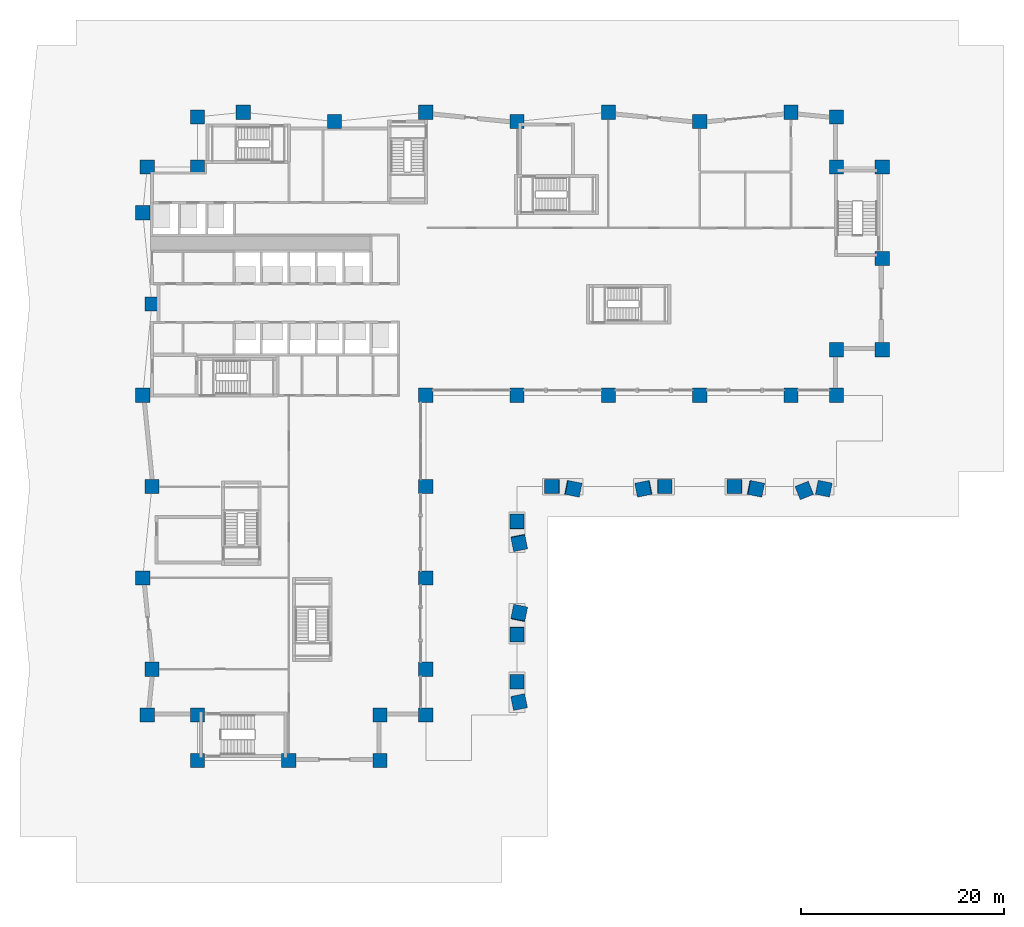
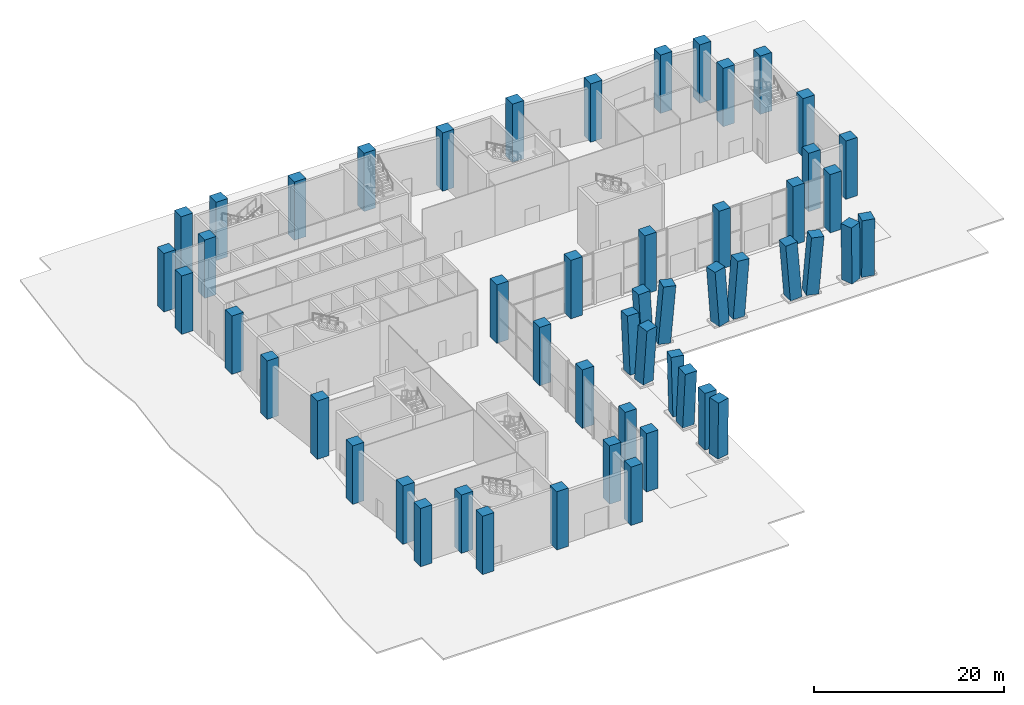
# One storey, part 1 of 16: 52 columns.
"""IFC4 building model written with IfcOpenShell, lengths in metres."""

from ifc_helpers import new_model, si_unit, direction, frame, origin, origin_2d, place, context, subcontext, project, spatial, rectangle, extrude, material, material_profile, profile_set, type_object, element, save


model = new_model("IFC4")

# Units and contexts
model_context = context("Model", 3, precision=1e-05, world=origin(), true_north=direction((0.0, 1.0)))
body_context = subcontext(model_context, "Body", "Model", "MODEL_VIEW")
ifc_project = project(units=[si_unit("LENGTHUNIT", "METRE"), si_unit("AREAUNIT", "SQUARE_METRE"), si_unit("VOLUMEUNIT", "CUBIC_METRE"), si_unit("PLANEANGLEUNIT", "RADIAN"), si_unit("MASSUNIT", "GRAM", prefix="KILO")], contexts=[model_context])

# Site, building, storey
site_placement = place(None, origin())
site = spatial("IfcSite", under=ifc_project, at=site_placement, CompositionType="ELEMENT")
building_placement = place(site_placement, origin())
building = spatial("IfcBuilding", under=site, at=building_placement, Name="Brondeck Convention Tower", CompositionType="ELEMENT")
storey_placement = place(building_placement, origin())
storey = spatial("IfcBuildingStorey", under=building, at=storey_placement, Name="L00", CompositionType="ELEMENT", Elevation=0.0)

# Columns
ifc_material = material(Name="Concrete C80/95", Category="concrete")
ifc_material_profile_1 = material_profile(ifc_material, rectangle(XDim=1.39990234375, YDim=1.39990234375, at=origin_2d()), Name="Mega column 1400x1400 Concrete C80/95")
ifc_profile_set_1 = profile_set([ifc_material_profile_1], Name="Concrete C80/95")
column_type_1 = type_object("IfcColumnType", Name="Mega column 1400x1400 Concrete C80/95", PredefinedType="COLUMN", material=ifc_profile_set_1)
for number, where, z_axis, x_axis, name in (
    (1, (4.5, 0.0, 0.0), (0.0, 0.0, 1.0), (1.0, 0.0, 0.0), "STR-COL-L00-BC-B-S-01"),
    (2, (13.5, 0.0, 0.0), (0.0, 0.0, 1.0), (1.0, 0.0, 0.0), "STR-COL-L00-BC-B-S-02"),
    (3, (22.5, 0.0, 0.0), (0.0, 0.0, 1.0), (1.0, 0.0, 0.0), "STR-COL-L00-BC-B-S-03"),
    (4, (27.0, 4.5, 0.0), (0.0, 0.0, 1.0), (1.0, 0.0, 0.0), "STR-COL-L00-BC-B-E-07"),
    (5, (27.0, 9.0, 0.0), (0.0, 0.0, 1.0), (1.0, 0.0, 0.0), "STR-COL-L00-BC-B-E-06"),
    (6, (27.0, 18.0, 0.0), (0.0, 0.0, 1.0), (1.0, 0.0, 0.0), "STR-COL-L00-BC-B-E-04"),
    (7, (27.0, 27.0, 0.0), (0.0, 0.0, 1.0), (1.0, 0.0, 0.0), "STR-COL-L00-BC-B-E-02"),
    (8, (27.0, 36.0, 0.0), (0.0, 0.0, 1.0), (1.0, 0.0, 0.0), "STR-COL-L00-BC-B-E-00"),
    (9, (36.0, 36.0, 0.0), (0.0, 0.0, 1.0), (1.0, 0.0, 0.0), "STR-COL-L00-BC-A-S-02"),
    (10, (45.0, 36.0, 0.0), (0.0, 0.0, 1.0), (1.0, 0.0, 0.0), "STR-COL-L00-BC-A-S-04"),
    (11, (54.0, 36.0, 0.0), (0.0, 0.0, 1.0), (1.0, 0.0, 0.0), "STR-COL-L00-BC-A-S-06"),
    (12, (63.0, 36.0, 0.0), (0.0, 0.0, 1.0), (1.0, 0.0, 0.0), "STR-COL-L00-BC-A-S-08"),
    (13, (67.5, 36.0, 0.0), (0.0, 0.0, 1.0), (1.0, 0.0, 0.0), "STR-COL-L00-BC-A-S-09"),
    (14, (72.0, 40.5, 0.0), (0.0, 0.0, 1.0), (1.0, 0.0, 0.0), "STR-COL-L00-BC-A-E-01"),
    (15, (72.0, 49.5, 0.0), (0.0, 0.0, 1.0), (1.0, 0.0, 0.0), "STR-COL-L00-BC-A-E-02"),
    (16, (72.0, 58.5, 0.0), (0.0, 0.0, 1.0), (1.0, 0.0, 0.0), "STR-COL-L00-BC-A-E-03"),
    (17, (67.5, 63.449951171875, 0.0), (0.0, 0.0, 1.0), (1.0, 0.0, 0.0), "STR-COL-L00-BC-A-N-15"),
    (18, (63.0, 63.89990234375, 0.0), (0.0, 0.0, 1.0), (1.0, 0.0, 0.0), "STR-COL-L00-BC-A-N-14"),
    (19, (54.0, 63.0, 0.0), (0.0, 0.0, 1.0), (1.0, 0.0, 0.0), "STR-COL-L00-BC-A-N-12"),
    (20, (45.0, 63.89990234375, 0.0), (0.0, 0.0, 1.0), (1.0, 0.0, 0.0), "STR-COL-L00-BC-A-N-10"),
    (21, (36.0, 63.0, 0.0), (0.0, 0.0, 1.0), (1.0, 0.0, 0.0), "STR-COL-L00-BC-A-N-08"),
    (22, (27.0, 63.89990234375, 0.0), (0.0, 0.0, 1.0), (1.0, 0.0, 0.0), "STR-COL-L00-BC-A-N-06"),
    (23, (18.0, 63.0, 0.0), (0.0, 0.0, 1.0), (1.0, 0.0, 0.0), "STR-COL-L00-BC-A-N-04"),
    (24, (9.0, 63.89990234375, 0.0), (0.0, 0.0, 1.0), (1.0, 0.0, 0.0), "STR-COL-L00-BC-A-N-02"),
    (25, (4.5, 63.449951171875, 0.0), (0.0, 0.0, 1.0), (1.0, 0.0, 0.0), "STR-COL-L00-BC-A-N-01"),
    (26, (-0.449951171875, 58.5, 0.0), (0.0, 0.0, 1.0), (1.0, 0.0, 0.0), "STR-COL-L00-BC-B-W-01"),
    (27, (-0.89990234375, 54.0, 0.0), (0.0, 0.0, 1.0), (1.0, 0.0, 0.0), "STR-COL-L00-BC-B-W-02"),
    (28, (0.0, 45.0, 0.0), (0.0, 0.0, 1.0), (1.0, 0.0, 0.0), "STR-COL-L00-BC-B-W-04"),
    (29, (-0.89990234375, 36.0, 0.0), (0.0, 0.0, 1.0), (1.0, 0.0, 0.0), "STR-COL-L00-BC-B-W-06"),
    (30, (0.0, 27.0, 0.0), (0.0, 0.0, 1.0), (1.0, 0.0, 0.0), "STR-COL-L00-BC-B-W-08"),
    (31, (-0.89990234375, 18.0, 0.0), (0.0, 0.0, 1.0), (1.0, 0.0, 0.0), "STR-COL-L00-BC-B-W-10"),
    (32, (0.0, 9.0, 0.0), (0.0, 0.0, 1.0), (1.0, 0.0, 0.0), "STR-COL-L00-BC-B-W-12"),
    (33, (-0.449951171875, 4.5, 0.0), (0.0, 0.0, 1.0), (1.0, 0.0, 0.0), "STR-COL-L00-BC-B-W-13"),
    (34, (4.5, 4.5, 0.0), (0.0, 0.0, 1.0), (1.0, 0.0, 0.0), "STR-COL-L00-NC-SWB"),
    (35, (22.5, 4.5, 0.0), (0.0, 0.0, 1.0), (1.0, 0.0, 0.0), "STR-COL-L00-NC-SEB"),
    (36, (67.5, 40.5, 0.0), (0.0, 0.0, 1.0), (1.0, 0.0, 0.0), "STR-COL-L00-NC-SEA"),
    (37, (67.5, 58.5, 0.0), (0.0, 0.0, 1.0), (1.0, 0.0, 0.0), "STR-COL-L00-NC-NEA"),
    (38, (4.5, 58.5, 0.0), (0.0, 0.0, 1.0), (1.0, 0.0, 0.0), "STR-COL-L00-NC-NW"),
):
    element("IfcColumn", number, at=place(storey_placement, frame(where, z_axis=z_axis, x_axis=x_axis)), inside=storey, type_object=column_type_1, Name=name, PredefinedType="COLUMN", context=body_context, shape_type="SweptSolid", body=[
        extrude(rectangle(XDim=1.39990234375, YDim=1.39990234375, at=origin_2d()), origin(), (0.0, 0.0, 1.0), 7.5),
    ])
ifc_material_profile_2 = material_profile(ifc_material, rectangle(XDim=1.39990234375, YDim=1.39990234375, at=origin_2d()), Name="Raking V column 1400x1400 Concrete C80/95")
ifc_profile_set_2 = profile_set([ifc_material_profile_2], Name="Concrete C80/95")
column_type_2 = type_object("IfcColumnType", Name="Raking V column 1400x1400 Concrete C80/95", PredefinedType="COLUMN", material=ifc_profile_set_2)
column_1_placement = place(storey_placement, frame((39.484375, 27.0, 0.25), z_axis=(-0.062378286155, 0.0, 0.998052578483), x_axis=(0.0, -1.0, 0.0)))
element("IfcColumn", 39, at=column_1_placement, inside=storey, type_object=column_type_2, Name="STR-COL-L00-V-A-S-1-W", PredefinedType="COLUMN", context=body_context, shape_type="SweptSolid", body=[
    extrude(rectangle(XDim=1.39990234375, YDim=1.39990234375, at=origin_2d()), origin(), (0.0, 0.0, 1.0), 7.26416015625),
])
for number, where, z_axis, x_axis, name in (
    (40, (41.50048828125, 26.7998046875, 0.25), (0.079078882778, -0.015809063578, 0.996742997872), (0.196036093617, 0.980596680598, 0.0), "STR-COL-L00-V-A-S-1-E"),
    (41, (48.49951171875, 26.7998046875, 0.25), (-0.079078882778, -0.015809063578, 0.996742997872), (0.196036093617, -0.980596680598, 0.0), "STR-COL-L00-V-A-S-2-W"),
):
    element("IfcColumn", number, at=place(storey_placement, frame(where, z_axis=z_axis, x_axis=x_axis)), inside=storey, type_object=column_type_2, Name=name, PredefinedType="COLUMN", context=body_context, shape_type="SweptSolid", body=[
        extrude(rectangle(XDim=1.39990234375, YDim=1.39990234375, at=origin_2d()), origin(), (0.0, 0.0, 1.0), 7.273681640625),
    ])
for number, where, z_axis, x_axis, name in (
    (42, (50.51953125, 27.0, 0.25), (0.077887667293, 0.0, 0.996962141349), (0.0, 1.0, 0.0), "STR-COL-L00-V-A-S-2-E"),
    (43, (57.48046875, 27.0, 0.25), (-0.077887667293, 0.0, 0.996962141349), (0.0, -1.0, 0.0), "STR-COL-L00-V-A-S-3-W"),
):
    element("IfcColumn", number, at=place(storey_placement, frame(where, z_axis=z_axis, x_axis=x_axis)), inside=storey, type_object=column_type_2, Name=name, PredefinedType="COLUMN", context=body_context, shape_type="SweptSolid", body=[
        extrude(rectangle(XDim=1.39990234375, YDim=1.39990234375, at=origin_2d()), origin(), (0.0, 0.0, 1.0), 7.27197265625),
    ])
column_2_placement = place(storey_placement, frame((59.50048828125, 26.7998046875, 0.25), z_axis=(0.079078882778, -0.015809063578, 0.996742997872), x_axis=(0.196036093617, 0.980596680598, 0.0)))
element("IfcColumn", 44, at=column_2_placement, inside=storey, type_object=column_type_2, Name="STR-COL-L00-V-A-S-3-E", PredefinedType="COLUMN", context=body_context, shape_type="SweptSolid", body=[
    extrude(rectangle(XDim=1.39990234375, YDim=1.39990234375, at=origin_2d()), origin(), (0.0, 0.0, 1.0), 7.273681640625),
])
column_3_placement = place(storey_placement, frame((64.318359375, 26.62744140625, 0.25), z_axis=(-0.012256474268, -0.00491605836, 0.999912801803), x_axis=(0.372269748728, -0.928124579021, 0.0)))
element("IfcColumn", 45, at=column_3_placement, inside=storey, type_object=column_type_2, Name="STR-COL-L00-V-A-S-4-W", PredefinedType="COLUMN", context=body_context, shape_type="SweptSolid", body=[
    extrude(rectangle(XDim=1.39990234375, YDim=1.39990234375, at=origin_2d()), origin(), (0.0, 0.0, 1.0), 7.250732421875),
])
column_4_placement = place(storey_placement, frame((66.23291015625, 26.803466796875, 0.25), z_axis=(0.009024402066, -0.00181834967, 0.999957625988), x_axis=(0.197522790778, 0.980298294971, 0.0)))
element("IfcColumn", 46, at=column_4_placement, inside=storey, type_object=column_type_2, Name="STR-COL-L00-V-A-S-4-E", PredefinedType="COLUMN", context=body_context, shape_type="SweptSolid", body=[
    extrude(rectangle(XDim=1.39990234375, YDim=1.39990234375, at=origin_2d()), origin(), (0.0, 0.0, 1.0), 7.250244140625),
])
column_5_placement = place(storey_placement, frame((36.0, 23.51953125, 0.25), z_axis=(0.0, 0.077887667293, 0.996962141349), x_axis=(-1.0, 0.0, 0.0)))
element("IfcColumn", 47, at=column_5_placement, inside=storey, type_object=column_type_2, Name="STR-COL-L00-V-B-E-1-W", PredefinedType="COLUMN", context=body_context, shape_type="SweptSolid", body=[
    extrude(rectangle(XDim=1.39990234375, YDim=1.39990234375, at=origin_2d()), origin(), (0.0, 0.0, 1.0), 7.27197265625),
])
for number, where, z_axis, x_axis, name in (
    (48, (36.2001953125, 21.49951171875, 0.25), (0.015809063578, -0.079078882778, 0.996742997872), (0.980596680598, 0.196036093617, 0.0), "STR-COL-L00-V-B-E-1-E"),
    (49, (36.2001953125, 14.50048828125, 0.25), (0.015809063578, 0.079078882778, 0.996742997872), (-0.980596680598, 0.196036093617, 0.0), "STR-COL-L00-V-B-E-2-W"),
):
    element("IfcColumn", number, at=place(storey_placement, frame(where, z_axis=z_axis, x_axis=x_axis)), inside=storey, type_object=column_type_2, Name=name, PredefinedType="COLUMN", context=body_context, shape_type="SweptSolid", body=[
        extrude(rectangle(XDim=1.39990234375, YDim=1.39990234375, at=origin_2d()), origin(), (0.0, 0.0, 1.0), 7.273681640625),
    ])
column_6_placement = place(storey_placement, frame((36.0, 12.48046875, 0.25), z_axis=(0.0, -0.077887667293, 0.996962141349), x_axis=(1.0, 0.0, 0.0)))
element("IfcColumn", 50, at=column_6_placement, inside=storey, type_object=column_type_2, Name="STR-COL-L00-V-B-E-2-E", PredefinedType="COLUMN", context=body_context, shape_type="SweptSolid", body=[
    extrude(rectangle(XDim=1.39990234375, YDim=1.39990234375, at=origin_2d()), origin(), (0.0, 0.0, 1.0), 7.27197265625),
])
for number, where, z_axis, x_axis, name in (
    (51, (36.0, 7.751953125, 0.25), (0.0, 0.007812261592, 0.999969483819), (-1.0, 0.0, 0.0), "STR-COL-L00-V-B-E-3-W"),
    (52, (36.196533203125, 5.76708984375, 0.25), (0.00181834967, -0.009024402066, 0.999957625988), (0.980298294971, 0.197522790778, 0.0), "STR-COL-L00-V-B-E-3-E"),
):
    element("IfcColumn", number, at=place(storey_placement, frame(where, z_axis=z_axis, x_axis=x_axis)), inside=storey, type_object=column_type_2, Name=name, PredefinedType="COLUMN", context=body_context, shape_type="SweptSolid", body=[
        extrude(rectangle(XDim=1.39990234375, YDim=1.39990234375, at=origin_2d()), origin(), (0.0, 0.0, 1.0), 7.250244140625),
    ])

save(model, "model.ifc")
